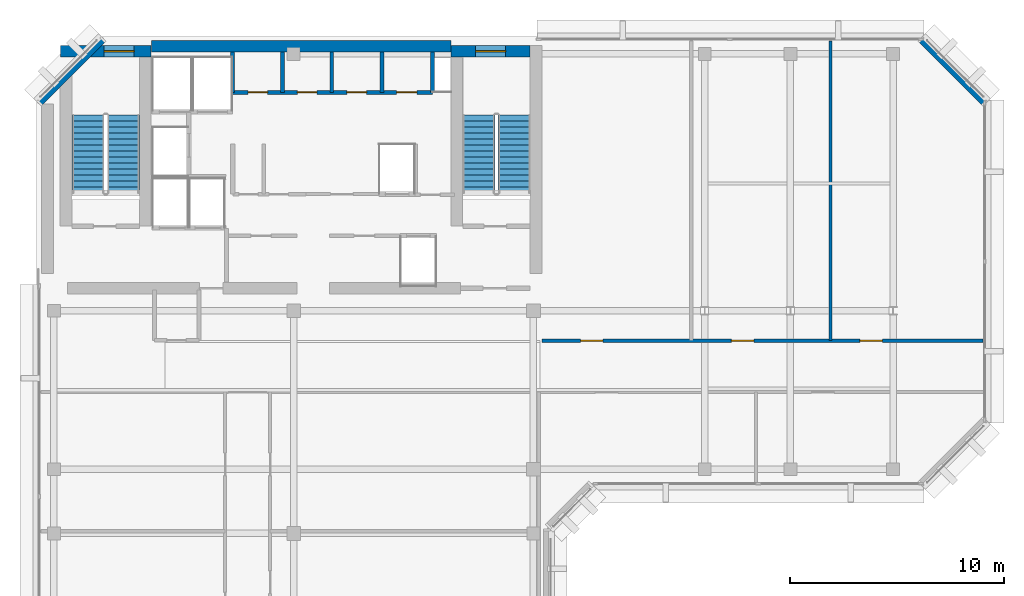
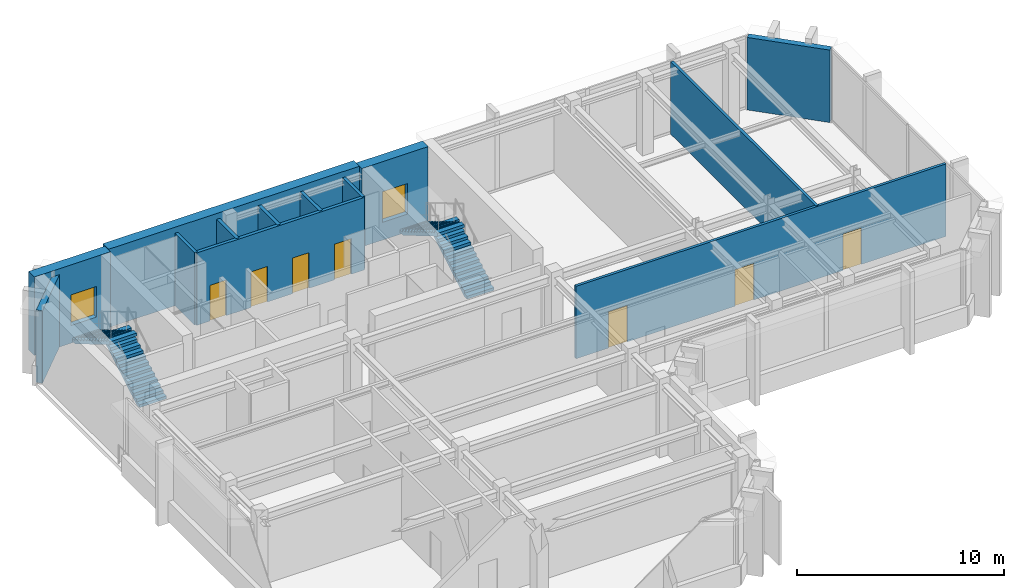
# One storey, part 6 of 9: 13 walls, 7 doors, 4 stair flights, 2 windows, 9 openings, 2 elements without a shape of their own.
"""IFC4 building model written with IfcOpenShell, lengths in metres."""

import ifcopenshell
import ifcopenshell.guid

model = None  # the IFC model being written
_history = None  # IfcOwnerHistory: only IFC2X3 demands one
_inside = {}  # id of a spatial element -> (the spatial element, [elements in it])
_under = {}  # id of a project, library or spatial element -> (it, [spatial elements below it])
_declared = {}  # id of a project -> (the project, [libraries it declares])
_typed = {}  # id of a type object -> (the type object, [elements of that type])
_made_of = {}  # id of a material, layer set ... -> (it, [elements and type objects made of it])


def new_model(schema):
    """Start an empty IFC model of exactly this schema.

    Asked for "IFC4X3", IfcOpenShell would pick the latest addendum, in which some entities
    have other attributes; the version numbers below select the first issue.
    IFC2X3 requires an IfcOwnerHistory on every rooted entity: one is made here for all.
    """
    global model, _history
    if schema == "IFC4X3":
        model = ifcopenshell.file(schema_version=(4, 3, 0, 0))
    else:
        model = ifcopenshell.file(schema=schema)
    _inside.clear()
    _under.clear()
    _declared.clear()
    _typed.clear()
    _made_of.clear()
    _history = None
    if model.schema == "IFC2X3":
        org = make("IfcOrganization", Name="unknown")
        user = make(
            "IfcPersonAndOrganization",
            ThePerson=make("IfcPerson", FamilyName="unknown"),
            TheOrganization=org,
        )
        app = make(
            "IfcApplication",
            ApplicationDeveloper=org,
            Version="unknown",
            ApplicationFullName="unknown",
            ApplicationIdentifier="unknown",
        )
        _history = make(
            "IfcOwnerHistory",
            OwningUser=user,
            OwningApplication=app,
            ChangeAction="ADDED",
            CreationDate=0,
        )
    return model


def make(cls, **values):
    """One entity of the class cls with the attributes given. An attribute that is None is left unset."""
    return model.create_entity(
        cls, **{name: value for name, value in values.items() if value is not None}
    )


def rooted(cls, **values):
    """An entity with a GlobalId (a new one), such as an element, a storey or a relation."""
    return make(cls, GlobalId=ifcopenshell.guid.new(), OwnerHistory=_history, **values)


def si_unit(unit_type, name, prefix=None):
    """IfcSIUnit, for example si_unit("LENGTHUNIT", "METRE", prefix="MILLI")."""
    return make("IfcSIUnit", UnitType=unit_type, Prefix=prefix, Name=name)


def assignment(units):
    """IfcUnitAssignment: the units of a project."""
    return None if units is None else make("IfcUnitAssignment", Units=units)


def point(xyz):
    """IfcCartesianPoint."""
    return None if xyz is None else make("IfcCartesianPoint", Coordinates=xyz)


def direction(xyz):
    """IfcDirection."""
    return None if xyz is None else make("IfcDirection", DirectionRatios=xyz)


def frame(location, z_axis=None, x_axis=None):
    """IfcAxis2Placement3D, a coordinate frame: its origin and axes. An axis left out is left unset."""
    return make(
        "IfcAxis2Placement3D",
        Location=point(location),
        Axis=direction(z_axis),
        RefDirection=direction(x_axis),
    )


def frame_2d(location, x_axis=None):
    """IfcAxis2Placement2D, a coordinate frame in the plane: its origin and x axis."""
    return make(
        "IfcAxis2Placement2D", Location=point(location), RefDirection=direction(x_axis)
    )


def origin():
    """The frame at (0, 0, 0) with its axes left unset."""
    return frame((0.0, 0.0, 0.0))


def place(relative_to, where):
    """IfcLocalPlacement: puts the frame where relative to a parent placement (None: the world)."""
    return make(
        "IfcLocalPlacement", PlacementRelTo=relative_to, RelativePlacement=where
    )


def context(
    kind, dimensions, precision=None, world=None, true_north=None, identifier=None
):
    """IfcGeometricRepresentationContext, for example the 3D "Model" context."""
    return make(
        "IfcGeometricRepresentationContext",
        ContextIdentifier=identifier,
        ContextType=kind,
        CoordinateSpaceDimension=dimensions,
        Precision=precision,
        WorldCoordinateSystem=world,
        TrueNorth=true_north,
    )


def subcontext(parent, identifier, kind, view, scale=None):
    """IfcGeometricRepresentationSubContext, for example "Body" below "Model"."""
    return make(
        "IfcGeometricRepresentationSubContext",
        ContextIdentifier=identifier,
        ContextType=kind,
        ParentContext=parent,
        TargetScale=scale,
        TargetView=view,
    )


def project(units=None, contexts=None):
    """IfcProject with its units and contexts."""
    return rooted(
        "IfcProject",
        Name="project",
        RepresentationContexts=contexts,
        UnitsInContext=assignment(units),
    )


def spatial(cls, under=None, at=None, **own):
    """A site, building, storey or space (cls), placed at a placement, below another one or the project."""
    s = rooted(cls, ObjectPlacement=at, **own)
    if under is not None:
        _under.setdefault(under.id(), (under, []))[1].append(s)
    return s


def polyline(points):
    """IfcPolyline through the points."""
    return make("IfcPolyline", Points=[point(p) for p in points])


def profile(cls, at=None, kind="AREA", **sizes):
    """A parametric profile (cls). Its sizes go by their IFC names, for example OverallWidth=200.0."""
    return make(cls, ProfileType=kind, Position=at, **sizes)


def rectangle(**sizes):
    """IfcRectangleProfileDef."""
    return profile("IfcRectangleProfileDef", **sizes)


def outline(outer, holes=None, kind="AREA"):
    """IfcArbitraryClosedProfileDef: a profile drawn as a closed curve; with holes, ...WithVoids."""
    if holes is None:
        return make("IfcArbitraryClosedProfileDef", ProfileType=kind, OuterCurve=outer)
    return make(
        "IfcArbitraryProfileDefWithVoids",
        ProfileType=kind,
        OuterCurve=outer,
        InnerCurves=holes,
    )


def extrude(swept, where, along, depth):
    """IfcExtrudedAreaSolid: the profile swept, set in the frame where, extruded along a direction by depth."""
    return make(
        "IfcExtrudedAreaSolid",
        SweptArea=swept,
        Position=where,
        ExtrudedDirection=direction(along),
        Depth=depth,
    )


def shape(context_of_items, identifier, shape_type, items):
    """IfcShapeRepresentation: the items that make up one representation, for example the "Body"."""
    return make(
        "IfcShapeRepresentation",
        ContextOfItems=context_of_items,
        RepresentationIdentifier=identifier,
        RepresentationType=shape_type,
        Items=items,
    )


def material(Name=None, Category=None):
    """IfcMaterial."""
    return make("IfcMaterial", Name=Name, Category=Category)


def layer(
    of_material, thickness, ventilated=None, Name=None, Category=None, Priority=None
):
    """IfcMaterialLayer: one layer of a wall or slab, of a material (None: an air gap)."""
    return make(
        "IfcMaterialLayer",
        Material=of_material,
        LayerThickness=thickness,
        IsVentilated=ventilated,
        Name=Name,
        Category=Category,
        Priority=Priority,
    )


def layer_set(layers, Name=None):
    """IfcMaterialLayerSet."""
    return make("IfcMaterialLayerSet", MaterialLayers=layers, LayerSetName=Name)


def made_of(thing, what):
    """Note that an element or type object is made of a material, layer set ...; save() writes the relation."""
    if what is not None:
        _made_of.setdefault(what.id(), (what, []))[1].append(thing)
    return thing


def type_object(cls, material=None, **own):
    """A type object (cls), such as IfcWallType, which elements share."""
    return made_of(rooted(cls, **own), material)


def element(
    cls,
    number,
    at=None,
    inside=None,
    cuts=None,
    type_object=None,
    material=None,
    context=None,
    identifier="Body",
    shape_type=None,
    held_by="IfcProductDefinitionShape",
    body=None,
    shapes=None,
    **own,
):
    """One element of the class cls, such as IfcWall. Its Tag is "e" and its number.

    at: its placement. inside: the storey or other place that contains it. cuts: it is an
    opening in that element (IfcRelVoidsElement). A single representation is given by context,
    identifier, shape_type and body (its items); several are given by shapes. held_by: the class
    of the entity that holds the representations. save() writes the other relations.
    """
    e = rooted(cls, Tag="e%d" % number, ObjectPlacement=at, **own)
    if body is not None:
        shapes = [shape(context, identifier, shape_type, body)]
    if shapes is not None:
        e.Representation = make(held_by, Representations=shapes)
    if inside is not None:
        _inside.setdefault(inside.id(), (inside, []))[1].append(e)
    if cuts is not None:
        rooted(
            "IfcRelVoidsElement", RelatingBuildingElement=cuts, RelatedOpeningElement=e
        )
    if type_object is not None:
        _typed.setdefault(type_object.id(), (type_object, []))[1].append(e)
    return made_of(e, material)


def fill(opening, filler):
    """IfcRelFillsElement: the door or window that sits in an opening."""
    return rooted(
        "IfcRelFillsElement",
        RelatingOpeningElement=opening,
        RelatedBuildingElement=filler,
    )


def aggregate(whole, parts):
    """IfcRelAggregates: a whole, such as a stair, and the parts it consists of."""
    return rooted("IfcRelAggregates", RelatingObject=whole, RelatedObjects=parts)


def save(model, path):
    """Write the relations noted so far, then the file.

    IfcRelAggregates (storeys below a building ...), IfcRelContainedInSpatialStructure (elements
    in a storey), IfcRelDefinesByType, IfcRelAssociatesMaterial and IfcRelDeclares: one each for
    every whole, place, type object, material and project.
    """
    for whole, parts in _under.values():
        aggregate(whole, parts)
    for where, things in _inside.values():
        rooted(
            "IfcRelContainedInSpatialStructure",
            RelatedElements=things,
            RelatingStructure=where,
        )
    for kind, things in _typed.values():
        rooted("IfcRelDefinesByType", RelatedObjects=things, RelatingType=kind)
    for what, things in _made_of.values():
        rooted("IfcRelAssociatesMaterial", RelatedObjects=things, RelatingMaterial=what)
    for by, libraries in _declared.values():
        rooted("IfcRelDeclares", RelatingContext=by, RelatedDefinitions=libraries)
    model.write(path)


model = new_model("IFC4")

# Units and contexts
model_context = context("Model", 3, precision=1e-05, world=origin(), true_north=direction((0.0, 1.0)))
body_context = subcontext(model_context, "Body", "Model", "MODEL_VIEW")
ifc_project = project(units=[si_unit("LENGTHUNIT", "METRE"), si_unit("AREAUNIT", "SQUARE_METRE"), si_unit("VOLUMEUNIT", "CUBIC_METRE"), si_unit("PLANEANGLEUNIT", "RADIAN"), si_unit("MASSUNIT", "GRAM", prefix="KILO")], contexts=[model_context])

# Site, building, storey
site_placement = place(None, origin())
site = spatial("IfcSite", under=ifc_project, at=site_placement, CompositionType="ELEMENT")
building_placement = place(site_placement, origin())
building = spatial("IfcBuilding", under=site, at=building_placement, Name="Kefirva Bronze Tower", CompositionType="ELEMENT")
storey_placement = place(building_placement, frame((0.0, 0.0, 361.35009765625)))
storey = spatial("IfcBuildingStorey", under=building, at=storey_placement, Name="L88", CompositionType="ELEMENT", Elevation=361.35009765625)

# Wall, openings, doors
ifc_material_1 = material(Name="Gypsum acoustic partition")
ifc_layer_1 = layer(ifc_material_1, 0.14990234375, Name="Gypsum acoustic partition")
ifc_layer_set_1 = layer_set([ifc_layer_1], Name="Gypsum acoustic partition")
wall_type_1 = type_object("IfcWallType", Name="Executive Suite Partition 150mm", PredefinedType="PARTITIONING", material=ifc_layer_set_1)
wall_1_placement = place(storey_placement, frame((23.60009765625, 31.800048828125, 0.0), z_axis=(0.0, 0.0, 1.0), x_axis=(1.0, 0.0, 0.0)))
wall_1 = element("IfcWall", 1, at=wall_1_placement, inside=storey, type_object=wall_type_1, Name="L88 Partition W-L88-LKN", PredefinedType="PARTITIONING", context=body_context, shape_type="SweptSolid", body=[
    extrude(rectangle(XDim=20.60986328125, YDim=0.14990234375, at=frame_2d((10.304931640625, 0.0))), origin(), (0.0, 0.0, 1.0), 4.27001953125),
])
opening_1_placement = place(wall_1_placement, frame((1.800048828125, 0.0, 0.0)))
opening_1 = element("IfcOpeningElement", 2, at=opening_1_placement, cuts=wall_1, Name="Opening L88-D-SMN1", PredefinedType="OPENING", context=body_context, shape_type="SweptSolid", body=[
    extrude(rectangle(XDim=1.050048828125, YDim=2.14990234375, at=frame_2d((0.52490234375, 1.074951171875))), frame((0.0, 0.0849609375, 0.0), z_axis=(0.0, -1.0, 0.0), x_axis=(1.0, 0.0, 0.0)), (0.0, 0.0, 1.0), 0.169921875),
])
opening_2_placement = place(wall_1_placement, frame((8.85009765625, 0.0, 0.0)))
opening_2 = element("IfcOpeningElement", 3, at=opening_2_placement, cuts=wall_1, Name="Opening L88-D-SMN2", PredefinedType="OPENING", context=body_context, shape_type="SweptSolid", body=[
    extrude(rectangle(XDim=1.050048828125, YDim=2.14990234375, at=frame_2d((0.52490234375, 1.074951171875))), frame((0.0, 0.0849609375, 0.0), z_axis=(0.0, -1.0, 0.0), x_axis=(1.0, 0.0, 0.0)), (0.0, 0.0, 1.0), 0.169921875),
])
opening_3_placement = place(wall_1_placement, frame((14.85009765625, 0.0, 0.0)))
opening_3 = element("IfcOpeningElement", 4, at=opening_3_placement, cuts=wall_1, Name="Opening L88-D-SMN3", PredefinedType="OPENING", context=body_context, shape_type="SweptSolid", body=[
    extrude(rectangle(XDim=1.050048828125, YDim=2.14990234375, at=frame_2d((0.52490234375, 1.074951171875))), frame((0.0, 0.0849609375, 0.0), z_axis=(0.0, -1.0, 0.0), x_axis=(1.0, 0.0, 0.0)), (0.0, 0.0, 1.0), 0.169921875),
])
ifc_material_2 = material(Name="Acoustic hardwood oak", Category="wood")
door_type_1 = type_object("IfcDoorType", Name="Executive & Boardroom Door 1050x2150", OperationType="NOTDEFINED", PredefinedType="DOOR", material=ifc_material_2)
door_1_placement = place(opening_1_placement, origin())
door_1 = element("IfcDoor", 5, at=door_1_placement, inside=storey, type_object=door_type_1, Name="Door L88-D-SMN1", OperationType="SINGLE_SWING_LEFT", OverallHeight=2.14990234375, OverallWidth=1.050048828125, PredefinedType="DOOR", context=body_context, shape_type="SweptSolid", body=[
    extrude(rectangle(XDim=1.050048828125, YDim=2.14990234375, at=frame_2d((0.52490234375, 1.074951171875))), frame((0.0, 0.02490234375, 0.0), z_axis=(0.0, -1.0, 0.0), x_axis=(1.0, 0.0, 0.0)), (0.0, 0.0, 1.0), 0.050048828125),
])
fill(opening_1, door_1)
door_2_placement = place(opening_2_placement, origin())
door_2 = element("IfcDoor", 6, at=door_2_placement, inside=storey, type_object=door_type_1, Name="Door L88-D-SMN2", OperationType="SINGLE_SWING_RIGHT", OverallHeight=2.14990234375, OverallWidth=1.050048828125, PredefinedType="DOOR", context=body_context, shape_type="SweptSolid", body=[
    extrude(rectangle(XDim=1.050048828125, YDim=2.14990234375, at=frame_2d((0.52490234375, 1.074951171875))), frame((0.0, 0.02490234375, 0.0), z_axis=(0.0, -1.0, 0.0), x_axis=(1.0, 0.0, 0.0)), (0.0, 0.0, 1.0), 0.050048828125),
])
fill(opening_2, door_2)
door_3_placement = place(opening_3_placement, origin())
door_3 = element("IfcDoor", 7, at=door_3_placement, inside=storey, type_object=door_type_1, Name="Door L88-D-SMN3", OperationType="SINGLE_SWING_LEFT", OverallHeight=2.14990234375, OverallWidth=1.050048828125, PredefinedType="DOOR", context=body_context, shape_type="SweptSolid", body=[
    extrude(rectangle(XDim=1.050048828125, YDim=2.14990234375, at=frame_2d((0.52490234375, 1.074951171875))), frame((0.0, 0.02490234375, 0.0), z_axis=(0.0, -1.0, 0.0), x_axis=(1.0, 0.0, 0.0)), (0.0, 0.0, 1.0), 0.050048828125),
])
fill(opening_3, door_3)

# Walls
wall_2_placement = place(storey_placement, frame((37.070068359375, 31.800048828125, 0.0), z_axis=(0.0, 0.0, 1.0), x_axis=(0.0, 1.0, 0.0)))
element("IfcWall", 8, at=wall_2_placement, inside=storey, type_object=wall_type_1, Name="L88 Partition W-L88-SMND2", PredefinedType="PARTITIONING", context=body_context, shape_type="SweptSolid", body=[
    extrude(rectangle(XDim=14.010009765625, YDim=0.14990234375, at=frame_2d((7.0048828125, 0.0))), origin(), (0.0, 0.0, 1.0), 4.27001953125),
])
ifc_material_3 = material(Name="Precast concrete C40/50", Category="concrete")
ifc_layer_2 = layer(ifc_material_3, 0.320068359375, Name="Precast concrete C40/50")
ifc_layer_set_2 = layer_set([ifc_layer_2], Name="Precast concrete C40/50")
wall_type_2 = type_object("IfcWallType", Name="Precast Insulated Exterior Wall 320mm", PredefinedType="SOLIDWALL", material=ifc_layer_set_2)
for number, where, z_axis, x_axis, name in (
    (9, (44.248046875, 42.92578125, 0.0), (0.0, 0.0, 1.0), (-0.707136318428, 0.707077242712, 0.0), "L88 Exterior Facade Wall 5"),
    (10, (3.07421875, 45.847900390625, 0.0), (0.0, 0.0, 1.0), (-0.707106781187, -0.707106781187, 0.0), "L88 Exterior Facade Wall 6"),
):
    element("IfcWall", number, at=place(storey_placement, frame(where, z_axis=z_axis, x_axis=x_axis)), inside=storey, type_object=wall_type_2, Name=name, PredefinedType="SOLIDWALL", context=body_context, shape_type="SweptSolid", body=[
        extrude(rectangle(XDim=4.132568359375, YDim=0.320068359375, at=frame_2d((2.06640625, 0.0))), origin(), (0.0, 0.0, 1.0), 4.27001953125),
    ])
ifc_material_4 = material(Name="Concrete C50/60", Category="concrete")
ifc_layer_3 = layer(ifc_material_4, 0.550048828125, Name="Concrete C50/60")
ifc_layer_set_3 = layer_set([ifc_layer_3], Name="Concrete C50/60")
wall_type_3 = type_object("IfcWallType", Name="RC Rear Core Exterior Wall 550mm", PredefinedType="SHEAR", material=ifc_layer_set_3)
wall_3_placement = place(storey_placement, frame((5.360107421875, 45.550048828125, 0.0), z_axis=(0.0, 0.0, 1.0), x_axis=(1.0, 0.0, 0.0)))
element("IfcWall", 11, at=wall_3_placement, inside=storey, type_object=wall_type_3, Name="L88 Rear Core North Shear Wall", PredefinedType="SHEAR", context=body_context, shape_type="SweptSolid", body=[
    extrude(rectangle(XDim=13.97998046875, YDim=0.550048828125, at=frame_2d((6.989990234375, 0.0))), origin(), (0.0, 0.0, 1.0), 4.619873046875),
])

# Wall, opening, window
wall_4_placement = place(storey_placement, frame((1.10009765625, 45.320068359375, 0.0), z_axis=(0.0, 0.0, 1.0), x_axis=(1.0, 0.0, 0.0)))
wall_4 = element("IfcWall", 12, at=wall_4_placement, inside=storey, type_object=wall_type_3, Name="L88 Stair 1 North Shear Wall", PredefinedType="SHEAR", context=body_context, shape_type="SweptSolid", body=[
    extrude(rectangle(XDim=4.239990234375, YDim=0.550048828125, at=frame_2d((2.1201171875, 0.0))), origin(), (0.0, 0.0, 1.0), 4.619873046875),
])
opening_4_placement = place(wall_4_placement, frame((2.050048828125, 0.0, 1.050048828125)))
opening_4 = element("IfcOpeningElement", 13, at=opening_4_placement, cuts=wall_4, Name="Opening WN-03", PredefinedType="OPENING", context=body_context, shape_type="SweptSolid", body=[
    extrude(rectangle(XDim=1.39990234375, YDim=1.800048828125, at=frame_2d((0.699951171875, 0.89990234375))), frame((0.0, 0.28515625, 0.0), z_axis=(0.0, -1.0, 0.0), x_axis=(1.0, 0.0, 0.0)), (0.0, 0.0, 1.0), 0.570068359375),
])
ifc_material_5 = material(Name="Laminated low-E double glazing", Category="glass")
window_type = type_object("IfcWindowType", Name="Rear-Core Stair Daylight Window 1400x1800", PartitioningType="SINGLE_PANEL", PredefinedType="WINDOW", material=ifc_material_5)
window_1_placement = place(opening_4_placement, origin())
window_1 = element("IfcWindow", 14, at=window_1_placement, inside=storey, type_object=window_type, Name="L88 Stair 1 Daylight Window", OverallHeight=1.800048828125, OverallWidth=1.39990234375, PartitioningType="SINGLE_PANEL", PredefinedType="WINDOW", context=body_context, shape_type="SweptSolid", body=[
    extrude(rectangle(XDim=1.39990234375, YDim=1.800048828125, at=frame_2d((0.699951171875, 0.89990234375))), frame((0.0, 0.030029296875, 0.0), z_axis=(0.0, -1.0, 0.0), x_axis=(1.0, 0.0, 0.0)), (0.0, 0.0, 1.0), 0.06005859375),
])
fill(opening_4, window_1)

wall_5_placement = place(storey_placement, frame((19.35009765625, 45.320068359375, 0.0), z_axis=(0.0, 0.0, 1.0), x_axis=(1.0, 0.0, 0.0)))
wall_5 = element("IfcWall", 15, at=wall_5_placement, inside=storey, type_object=wall_type_3, Name="L88 Stair 2 North Shear Wall", PredefinedType="SHEAR", context=body_context, shape_type="SweptSolid", body=[
    extrude(rectangle(XDim=3.68994140625, YDim=0.550048828125, at=frame_2d((1.844970703125, 0.0))), origin(), (0.0, 0.0, 1.0), 4.619873046875),
])
opening_5_placement = place(wall_5_placement, frame((1.14990234375, 0.0, 1.050048828125)))
opening_5 = element("IfcOpeningElement", 16, at=opening_5_placement, cuts=wall_5, Name="Opening WN-03", PredefinedType="OPENING", context=body_context, shape_type="SweptSolid", body=[
    extrude(rectangle(XDim=1.39990234375, YDim=1.800048828125, at=frame_2d((0.699951171875, 0.89990234375))), frame((0.0, 0.28515625, 0.0), z_axis=(0.0, -1.0, 0.0), x_axis=(1.0, 0.0, 0.0)), (0.0, 0.0, 1.0), 0.570068359375),
])
window_2_placement = place(opening_5_placement, origin())
window_2 = element("IfcWindow", 17, at=window_2_placement, inside=storey, type_object=window_type, Name="L88 Stair 2 Daylight Window", OverallHeight=1.800048828125, OverallWidth=1.39990234375, PartitioningType="SINGLE_PANEL", PredefinedType="WINDOW", context=body_context, shape_type="SweptSolid", body=[
    extrude(rectangle(XDim=1.39990234375, YDim=1.800048828125, at=frame_2d((0.699951171875, 0.89990234375))), frame((0.0, 0.030029296875, 0.0), z_axis=(0.0, -1.0, 0.0), x_axis=(1.0, 0.0, 0.0)), (0.0, 0.0, 1.0), 0.06005859375),
])
fill(opening_5, window_2)

# Wall, openings, doors
ifc_material_6 = material(Name="Moisture-resistant partition")
ifc_layer_4 = layer(ifc_material_6, 0.179931640625, Name="Moisture-resistant partition")
ifc_layer_set_4 = layer_set([ifc_layer_4], Name="Moisture-resistant partition")
wall_type_4 = type_object("IfcWallType", Name="Sanitary Plumbing Chase Wall 180mm", PredefinedType="PLUMBINGWALL", material=ifc_layer_set_4)
wall_6_placement = place(storey_placement, frame((9.14990234375, 43.39990234375, 0.0), z_axis=(0.0, 0.0, 1.0), x_axis=(1.0, 0.0, 0.0)))
wall_6 = element("IfcWall", 18, at=wall_6_placement, inside=storey, type_object=wall_type_4, Name="L88 Partition W-L88-SVCS", PredefinedType="PLUMBINGWALL", context=body_context, shape_type="SweptSolid", body=[
    extrude(rectangle(XDim=9.330078125, YDim=0.179931640625, at=frame_2d((4.6650390625, 0.0))), origin(), (0.0, 0.0, 1.0), 4.27001953125),
])
opening_6_placement = place(wall_6_placement, frame((0.719970703125, 0.0, 0.0)))
opening_6 = element("IfcOpeningElement", 19, at=opening_6_placement, cuts=wall_6, Name="Opening L88-D-CSVC1", PredefinedType="OPENING", context=body_context, shape_type="SweptSolid", body=[
    extrude(rectangle(XDim=0.919921875, YDim=2.10009765625, at=frame_2d((0.4599609375, 1.050048828125))), frame((0.0, 0.10009765625, 0.0), z_axis=(0.0, -1.0, 0.0), x_axis=(1.0, 0.0, 0.0)), (0.0, 0.0, 1.0), 0.199951171875),
])
opening_7_placement = place(wall_6_placement, frame((3.02001953125, 0.0, 0.0)))
opening_7 = element("IfcOpeningElement", 20, at=opening_7_placement, cuts=wall_6, Name="Opening L88-D-CSVC2", PredefinedType="OPENING", context=body_context, shape_type="SweptSolid", body=[
    extrude(rectangle(XDim=0.919921875, YDim=2.10009765625, at=frame_2d((0.4599609375, 1.050048828125))), frame((0.0, 0.10009765625, 0.0), z_axis=(0.0, -1.0, 0.0), x_axis=(1.0, 0.0, 0.0)), (0.0, 0.0, 1.0), 0.199951171875),
])
opening_8_placement = place(wall_6_placement, frame((5.340087890625, 0.0, 0.0)))
opening_8 = element("IfcOpeningElement", 21, at=opening_8_placement, cuts=wall_6, Name="Opening L88-D-CSVC3", PredefinedType="OPENING", context=body_context, shape_type="SweptSolid", body=[
    extrude(rectangle(XDim=0.919921875, YDim=2.10009765625, at=frame_2d((0.4599609375, 1.050048828125))), frame((0.0, 0.10009765625, 0.0), z_axis=(0.0, -1.0, 0.0), x_axis=(1.0, 0.0, 0.0)), (0.0, 0.0, 1.0), 0.199951171875),
])
opening_9_placement = place(wall_6_placement, frame((7.659912109375, 0.0, 0.0)))
opening_9 = element("IfcOpeningElement", 22, at=opening_9_placement, cuts=wall_6, Name="Opening L88-D-CSVC4", PredefinedType="OPENING", context=body_context, shape_type="SweptSolid", body=[
    extrude(rectangle(XDim=0.949951171875, YDim=2.10009765625, at=frame_2d((0.47509765625, 1.050048828125))), frame((0.0, 0.10009765625, 0.0), z_axis=(0.0, -1.0, 0.0), x_axis=(1.0, 0.0, 0.0)), (0.0, 0.0, 1.0), 0.199951171875),
])
ifc_material_7 = material(Name="Moisture-resistant timber", Category="wood")
door_type_2 = type_object("IfcDoorType", Name="Accessible Sanitary & WC Door 920x2100", OperationType="NOTDEFINED", PredefinedType="DOOR", material=ifc_material_7)
door_4_placement = place(opening_6_placement, origin())
door_4 = element("IfcDoor", 23, at=door_4_placement, inside=storey, type_object=door_type_2, Name="Door L88-D-CSVC1", OperationType="SINGLE_SWING_LEFT", OverallHeight=2.10009765625, OverallWidth=0.919921875, PredefinedType="DOOR", context=body_context, shape_type="SweptSolid", body=[
    extrude(rectangle(XDim=0.919921875, YDim=2.10009765625, at=frame_2d((0.4599609375, 1.050048828125))), frame((0.0, 0.02490234375, 0.0), z_axis=(0.0, -1.0, 0.0), x_axis=(1.0, 0.0, 0.0)), (0.0, 0.0, 1.0), 0.050048828125),
])
fill(opening_6, door_4)
door_5_placement = place(opening_7_placement, origin())
door_5 = element("IfcDoor", 24, at=door_5_placement, inside=storey, type_object=door_type_2, Name="Door L88-D-CSVC2", OperationType="SINGLE_SWING_RIGHT", OverallHeight=2.10009765625, OverallWidth=0.919921875, PredefinedType="DOOR", context=body_context, shape_type="SweptSolid", body=[
    extrude(rectangle(XDim=0.919921875, YDim=2.10009765625, at=frame_2d((0.4599609375, 1.050048828125))), frame((0.0, 0.02490234375, 0.0), z_axis=(0.0, -1.0, 0.0), x_axis=(1.0, 0.0, 0.0)), (0.0, 0.0, 1.0), 0.050048828125),
])
fill(opening_7, door_5)
door_6_placement = place(opening_8_placement, origin())
door_6 = element("IfcDoor", 25, at=door_6_placement, inside=storey, type_object=door_type_2, Name="Door L88-D-CSVC3", OperationType="SINGLE_SWING_LEFT", OverallHeight=2.10009765625, OverallWidth=0.919921875, PredefinedType="DOOR", context=body_context, shape_type="SweptSolid", body=[
    extrude(rectangle(XDim=0.919921875, YDim=2.10009765625, at=frame_2d((0.4599609375, 1.050048828125))), frame((0.0, 0.02490234375, 0.0), z_axis=(0.0, -1.0, 0.0), x_axis=(1.0, 0.0, 0.0)), (0.0, 0.0, 1.0), 0.050048828125),
])
fill(opening_8, door_6)
ifc_material_8 = material(Name="Painted galvanized steel", Category="steel")
door_type_3 = type_object("IfcDoorType", Name="Riser & Plant Shaft Fire Door 950x2100 FD60S", OperationType="NOTDEFINED", PredefinedType="DOOR", material=ifc_material_8)
door_7_placement = place(opening_9_placement, origin())
door_7 = element("IfcDoor", 26, at=door_7_placement, inside=storey, type_object=door_type_3, Name="Door L88-D-CSVC4", OperationType="SINGLE_SWING_RIGHT", OverallHeight=2.10009765625, OverallWidth=0.949951171875, PredefinedType="DOOR", context=body_context, shape_type="SweptSolid", body=[
    extrude(rectangle(XDim=0.949951171875, YDim=2.10009765625, at=frame_2d((0.47509765625, 1.050048828125))), frame((0.0, 0.02490234375, 0.0), z_axis=(0.0, -1.0, 0.0), x_axis=(1.0, 0.0, 0.0)), (0.0, 0.0, 1.0), 0.050048828125),
])
fill(opening_9, door_7)

# Walls
for number, where, z_axis, x_axis, name in (
    (27, (9.14990234375, 43.39990234375, 0.0), (0.0, 0.0, 1.0), (0.0, 1.0, 0.0), "L88 Partition W-L88-SVCW"),
    (28, (18.47998046875, 43.39990234375, 0.0), (0.0, 0.0, 1.0), (0.0, 1.0, 0.0), "L88 Partition W-L88-SVCE"),
    (29, (11.47998046875, 43.39990234375, 0.0), (0.0, 0.0, 1.0), (0.0, 1.0, 0.0), "L88 Partition W-L88-CSVD-1"),
    (30, (13.780029296875, 43.39990234375, 0.0), (0.0, 0.0, 1.0), (0.0, 1.0, 0.0), "L88 Partition W-L88-CSVD-2"),
    (31, (16.1201171875, 43.39990234375, 0.0), (0.0, 0.0, 1.0), (0.0, 1.0, 0.0), "L88 Partition W-L88-CSVD-3"),
):
    element("IfcWall", number, at=place(storey_placement, frame(where, z_axis=z_axis, x_axis=x_axis)), inside=storey, type_object=wall_type_4, Name=name, PredefinedType="PLUMBINGWALL", context=body_context, shape_type="SweptSolid", body=[
        extrude(rectangle(XDim=1.880126953125, YDim=0.179931640625, at=frame_2d((0.93994140625, 0.0))), origin(), (0.0, 0.0, 1.0), 4.27001953125),
    ])

# Stair, stair flights
ifc_material_9 = material(Name="Concrete C40/50", Category="concrete")
stair_type = type_object("IfcStairType", Name="RC Dogleg Protected Stair 28R", PredefinedType="HALF_TURN_STAIR", material=ifc_material_9)
stair_1_placement = place(storey_placement, origin())
stair_1 = element("IfcStair", 32, at=stair_1_placement, inside=storey, type_object=stair_type, Name="L88 Protected Exit Stair 1", PredefinedType="HALF_TURN_STAIR")
stair_flight_type = type_object("IfcStairFlightType", Name="RC Straight Stair Flight 28R", PredefinedType="STRAIGHT", material=ifc_material_9)
stair_flight_1_placement = place(storey_placement, frame((4.050048828125, 38.699951171875, 0.0), z_axis=(0.0, 0.0, 1.0), x_axis=(0.0, 1.0, 0.0)))
stair_flight_1 = element("IfcStairFlight", 33, at=stair_flight_1_placement, type_object=stair_flight_type, Name="ST-1 flight 1", NumberOfRisers=14, NumberOfTreads=13, PredefinedType="STRAIGHT", RiserHeight=0.165, TreadLength=0.28, context=body_context, shape_type="SweptSolid", body=[
    extrude(outline(polyline([(0.0, 0.0), (0.0, 0.1650390625), (0.280029296875, 0.1650390625), (0.280029296875, 0.330078125), (0.56005859375, 0.330078125), (0.56005859375, 0.4951171875), (0.840087890625, 0.4951171875), (0.840087890625, 0.659912109375), (1.1201171875, 0.659912109375), (1.1201171875, 0.824951171875), (1.39990234375, 0.824951171875), (1.39990234375, 0.989990234375), (1.679931640625, 0.989990234375), (1.679931640625, 1.155029296875), (1.9599609375, 1.155029296875), (1.9599609375, 1.320068359375), (2.239990234375, 1.320068359375), (2.239990234375, 1.485107421875), (2.52001953125, 1.485107421875), (2.52001953125, 1.64990234375), (2.800048828125, 1.64990234375), (2.800048828125, 1.81494140625), (3.080078125, 1.81494140625), (3.080078125, 1.97998046875), (3.360107421875, 1.97998046875), (3.360107421875, 2.14501953125), (3.639892578125, 2.14501953125), (3.639892578125, 2.31005859375), (3.639892578125, 1.970947265625), (0.295166015625, 0.0), (0.0, 0.0)])), frame((0.0, 0.75, 0.0), z_axis=(0.0, -1.0, 0.0), x_axis=(1.0, 0.0, 0.0)), (0.0, 0.0, 1.0), 1.5),
])
stair_flight_2_placement = place(storey_placement, frame((2.39990234375, 42.340087890625, 2.309814453125), z_axis=(0.0, 0.0, 1.0), x_axis=(0.0, -1.0, 0.0)))
stair_flight_2 = element("IfcStairFlight", 34, at=stair_flight_2_placement, type_object=stair_flight_type, Name="ST-1 flight 2", NumberOfRisers=14, NumberOfTreads=13, PredefinedType="STRAIGHT", RiserHeight=0.165, TreadLength=0.28, context=body_context, shape_type="SweptSolid", body=[
    extrude(outline(polyline([(0.0, 0.0), (0.0, 0.1650390625), (0.280029296875, 0.1650390625), (0.280029296875, 0.330078125), (0.56005859375, 0.330078125), (0.56005859375, 0.4951171875), (0.840087890625, 0.4951171875), (0.840087890625, 0.659912109375), (1.1201171875, 0.659912109375), (1.1201171875, 0.824951171875), (1.39990234375, 0.824951171875), (1.39990234375, 0.989990234375), (1.679931640625, 0.989990234375), (1.679931640625, 1.155029296875), (1.9599609375, 1.155029296875), (1.9599609375, 1.320068359375), (2.239990234375, 1.320068359375), (2.239990234375, 1.485107421875), (2.52001953125, 1.485107421875), (2.52001953125, 1.64990234375), (2.800048828125, 1.64990234375), (2.800048828125, 1.81494140625), (3.080078125, 1.81494140625), (3.080078125, 1.97998046875), (3.360107421875, 1.97998046875), (3.360107421875, 2.14501953125), (3.639892578125, 2.14501953125), (3.639892578125, 2.31005859375), (3.639892578125, 1.970947265625), (0.295166015625, 0.0), (0.0, 0.0)])), frame((0.0, 0.75, 0.0), z_axis=(0.0, -1.0, 0.0), x_axis=(1.0, 0.0, 0.0)), (0.0, 0.0, 1.0), 1.5),
])
aggregate(stair_1, [stair_flight_1, stair_flight_2])

stair_2_placement = place(storey_placement, origin())
stair_2 = element("IfcStair", 35, at=stair_2_placement, inside=storey, type_object=stair_type, Name="L88 Protected Exit Stair 2", PredefinedType="HALF_TURN_STAIR")
stair_flight_3_placement = place(storey_placement, frame((22.300048828125, 38.699951171875, 0.0), z_axis=(0.0, 0.0, 1.0), x_axis=(0.0, 1.0, 0.0)))
stair_flight_3 = element("IfcStairFlight", 36, at=stair_flight_3_placement, type_object=stair_flight_type, Name="ST-2 flight 1", NumberOfRisers=14, NumberOfTreads=13, PredefinedType="STRAIGHT", RiserHeight=0.165, TreadLength=0.28, context=body_context, shape_type="SweptSolid", body=[
    extrude(outline(polyline([(0.0, 0.0), (0.0, 0.1650390625), (0.280029296875, 0.1650390625), (0.280029296875, 0.330078125), (0.56005859375, 0.330078125), (0.56005859375, 0.4951171875), (0.840087890625, 0.4951171875), (0.840087890625, 0.659912109375), (1.1201171875, 0.659912109375), (1.1201171875, 0.824951171875), (1.39990234375, 0.824951171875), (1.39990234375, 0.989990234375), (1.679931640625, 0.989990234375), (1.679931640625, 1.155029296875), (1.9599609375, 1.155029296875), (1.9599609375, 1.320068359375), (2.239990234375, 1.320068359375), (2.239990234375, 1.485107421875), (2.52001953125, 1.485107421875), (2.52001953125, 1.64990234375), (2.800048828125, 1.64990234375), (2.800048828125, 1.81494140625), (3.080078125, 1.81494140625), (3.080078125, 1.97998046875), (3.360107421875, 1.97998046875), (3.360107421875, 2.14501953125), (3.639892578125, 2.14501953125), (3.639892578125, 2.31005859375), (3.639892578125, 1.970947265625), (0.295166015625, 0.0), (0.0, 0.0)])), frame((0.0, 0.75, 0.0), z_axis=(0.0, -1.0, 0.0), x_axis=(1.0, 0.0, 0.0)), (0.0, 0.0, 1.0), 1.5),
])
stair_flight_4_placement = place(storey_placement, frame((20.64990234375, 42.340087890625, 2.309814453125), z_axis=(0.0, 0.0, 1.0), x_axis=(0.0, -1.0, 0.0)))
stair_flight_4 = element("IfcStairFlight", 37, at=stair_flight_4_placement, type_object=stair_flight_type, Name="ST-2 flight 2", NumberOfRisers=14, NumberOfTreads=13, PredefinedType="STRAIGHT", RiserHeight=0.165, TreadLength=0.28, context=body_context, shape_type="SweptSolid", body=[
    extrude(outline(polyline([(0.0, 0.0), (0.0, 0.1650390625), (0.280029296875, 0.1650390625), (0.280029296875, 0.330078125), (0.56005859375, 0.330078125), (0.56005859375, 0.4951171875), (0.840087890625, 0.4951171875), (0.840087890625, 0.659912109375), (1.1201171875, 0.659912109375), (1.1201171875, 0.824951171875), (1.39990234375, 0.824951171875), (1.39990234375, 0.989990234375), (1.679931640625, 0.989990234375), (1.679931640625, 1.155029296875), (1.9599609375, 1.155029296875), (1.9599609375, 1.320068359375), (2.239990234375, 1.320068359375), (2.239990234375, 1.485107421875), (2.52001953125, 1.485107421875), (2.52001953125, 1.64990234375), (2.800048828125, 1.64990234375), (2.800048828125, 1.81494140625), (3.080078125, 1.81494140625), (3.080078125, 1.97998046875), (3.360107421875, 1.97998046875), (3.360107421875, 2.14501953125), (3.639892578125, 2.14501953125), (3.639892578125, 2.31005859375), (3.639892578125, 1.970947265625), (0.295166015625, 0.0), (0.0, 0.0)])), frame((0.0, 0.75, 0.0), z_axis=(0.0, -1.0, 0.0), x_axis=(1.0, 0.0, 0.0)), (0.0, 0.0, 1.0), 1.5),
])
aggregate(stair_2, [stair_flight_3, stair_flight_4])

save(model, "model.ifc")
